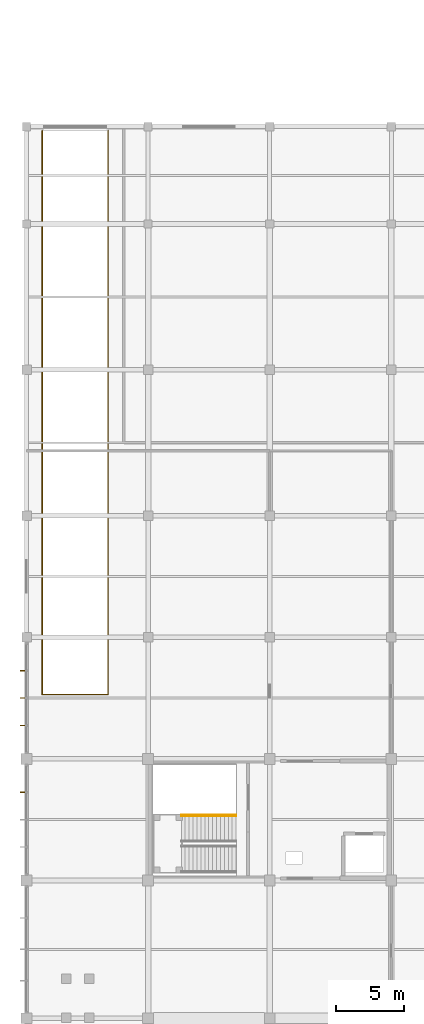
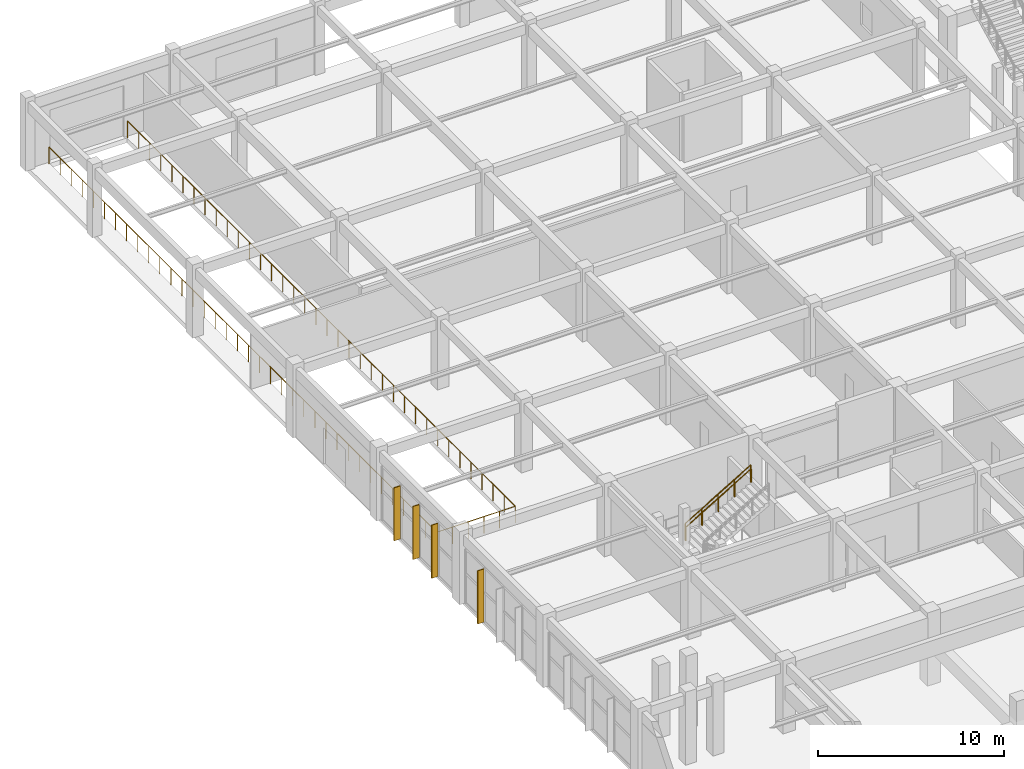
# One storey, part 68 of 82: 4 shading devices, 3 railings.
"""IFC4 building model written with IfcOpenShell, lengths in metres."""

from ifc_helpers import new_model, si_unit, direction, frame, origin, origin_2d, place, context, subcontext, project, spatial, rectangle, circle, extrude, material, type_object, element, save


model = new_model("IFC4")

# Units and contexts
model_context = context("Model", 3, precision=1e-05, world=origin(), true_north=direction((0.0, 1.0)))
body_context = subcontext(model_context, "Body", "Model", "MODEL_VIEW")
ifc_project = project(units=[si_unit("LENGTHUNIT", "METRE"), si_unit("AREAUNIT", "SQUARE_METRE"), si_unit("VOLUMEUNIT", "CUBIC_METRE"), si_unit("PLANEANGLEUNIT", "RADIAN"), si_unit("MASSUNIT", "GRAM", prefix="KILO")], contexts=[model_context])

# Site, building, storey
site_placement = place(None, origin())
site = spatial("IfcSite", under=ifc_project, at=site_placement, CompositionType="ELEMENT")
building_placement = place(site_placement, origin())
building = spatial("IfcBuilding", under=site, at=building_placement, Name="Suirenkawa Promenade Aquatics Centre", CompositionType="ELEMENT")
storey_placement = place(building_placement, origin())
storey = spatial("IfcBuildingStorey", under=building, at=storey_placement, Name="L00", CompositionType="ELEMENT", Elevation=0.0)

# Railings
ifc_material_1 = material(Name="Marine-grade stainless steel Grade 316L", Category="steel")
railing_type_1 = type_object("IfcRailingType", Name="RLT-GUARD-1120", PredefinedType="GUARDRAIL", material=ifc_material_1)
railing_1_placement = place(storey_placement, frame((11.455078125, 64.22998046875, 2.39990234375)))
element("IfcRailing", 1, at=railing_1_placement, inside=storey, type_object=railing_type_1, Name="Guardrail GRD-01 RL-0067", PredefinedType="GUARDRAIL", context=body_context, shape_type="SweptSolid", body=[
    extrude(circle(Radius=0.02392578125, at=origin_2d()), frame((0.0, 0.0, 1.09619140625), z_axis=(0.860818299379, 0.0, 0.50891242415), x_axis=(0.0, 1.0, 0.0)), (0.0, 0.0, 1.0), 4.71630859375),
    extrude(circle(Radius=0.02099609375, at=origin_2d()), origin(), (0.0, 0.0, 1.0), 1.072021484375),
    extrude(circle(Radius=0.02099609375, at=origin_2d()), frame((1.014892578125, 0.0, 0.60009765625)), (0.0, 0.0, 1.0), 1.072021484375),
    extrude(circle(Radius=0.02099609375, at=origin_2d()), frame((2.02978515625, 0.0, 1.2001953125)), (0.0, 0.0, 1.0), 1.072021484375),
    extrude(circle(Radius=0.02099609375, at=origin_2d()), frame((3.044921875, 0.0, 1.800048828125)), (0.0, 0.0, 1.0), 1.072021484375),
    extrude(circle(Radius=0.02099609375, at=origin_2d()), frame((4.059814453125, 0.0, 2.400146484375)), (0.0, 0.0, 1.0), 1.072021484375),
])
railing_2_placement = place(storey_placement, frame((1.159912109375, 114.89990234375, 0.0)))
element("IfcRailing", 2, at=railing_2_placement, inside=storey, type_object=railing_type_1, Name="Guardrail GRD-01 RL-0440", PredefinedType="GUARDRAIL", context=body_context, shape_type="SweptSolid", body=[
    extrude(circle(Radius=0.02392578125, at=origin_2d()), frame((0.0, 0.0, 1.09619140625), z_axis=(0.0, -1.0, 0.0), x_axis=(1.0, 0.0, 0.0)), (0.0, 0.0, 1.0), 41.739990234375),
    extrude(circle(Radius=0.02392578125, at=origin_2d()), frame((0.0, -41.739990234375, 1.09619140625), z_axis=(1.0, 0.0, 0.0), x_axis=(0.0, 1.0, 0.0)), (0.0, 0.0, 1.0), 4.880126953125),
    extrude(circle(Radius=0.02392578125, at=origin_2d()), frame((4.880126953125, -41.739990234375, 1.09619140625), z_axis=(0.0, 1.0, 0.0), x_axis=(-1.0, 0.0, 0.0)), (0.0, 0.0, 1.0), 41.739990234375),
    extrude(circle(Radius=0.02099609375, at=origin_2d()), origin(), (0.0, 0.0, 1.0), 1.072021484375),
    extrude(circle(Radius=0.02099609375, at=origin_2d()), frame((0.0, -1.192626953125, 0.0)), (0.0, 0.0, 1.0), 1.072021484375),
    extrude(circle(Radius=0.02099609375, at=origin_2d()), frame((0.0, -2.38525390625, 0.0)), (0.0, 0.0, 1.0), 1.072021484375),
    extrude(circle(Radius=0.02099609375, at=origin_2d()), frame((0.0, -3.57763671875, 0.0)), (0.0, 0.0, 1.0), 1.072021484375),
    extrude(circle(Radius=0.02099609375, at=origin_2d()), frame((0.0, -4.770263671875, 0.0)), (0.0, 0.0, 1.0), 1.072021484375),
    extrude(circle(Radius=0.02099609375, at=origin_2d()), frame((0.0, -5.962890625, 0.0)), (0.0, 0.0, 1.0), 1.072021484375),
    extrude(circle(Radius=0.02099609375, at=origin_2d()), frame((0.0, -7.155517578125, 0.0)), (0.0, 0.0, 1.0), 1.072021484375),
    extrude(circle(Radius=0.02099609375, at=origin_2d()), frame((0.0, -8.347900390625, 0.0)), (0.0, 0.0, 1.0), 1.072021484375),
    extrude(circle(Radius=0.02099609375, at=origin_2d()), frame((0.0, -9.54052734375, 0.0)), (0.0, 0.0, 1.0), 1.072021484375),
    extrude(circle(Radius=0.02099609375, at=origin_2d()), frame((0.0, -10.733154296875, 0.0)), (0.0, 0.0, 1.0), 1.072021484375),
    extrude(circle(Radius=0.02099609375, at=origin_2d()), frame((0.0, -11.92578125, 0.0)), (0.0, 0.0, 1.0), 1.072021484375),
    extrude(circle(Radius=0.02099609375, at=origin_2d()), frame((0.0, -13.1181640625, 0.0)), (0.0, 0.0, 1.0), 1.072021484375),
    extrude(circle(Radius=0.02099609375, at=origin_2d()), frame((0.0, -14.310791015625, 0.0)), (0.0, 0.0, 1.0), 1.072021484375),
    extrude(circle(Radius=0.02099609375, at=origin_2d()), frame((0.0, -15.50341796875, 0.0)), (0.0, 0.0, 1.0), 1.072021484375),
    extrude(circle(Radius=0.02099609375, at=origin_2d()), frame((0.0, -16.696044921875, 0.0)), (0.0, 0.0, 1.0), 1.072021484375),
    extrude(circle(Radius=0.02099609375, at=origin_2d()), frame((0.0, -17.888671875, 0.0)), (0.0, 0.0, 1.0), 1.072021484375),
    extrude(circle(Radius=0.02099609375, at=origin_2d()), frame((0.0, -19.0810546875, 0.0)), (0.0, 0.0, 1.0), 1.072021484375),
    extrude(circle(Radius=0.02099609375, at=origin_2d()), frame((0.0, -20.273681640625, 0.0)), (0.0, 0.0, 1.0), 1.072021484375),
    extrude(circle(Radius=0.02099609375, at=origin_2d()), frame((0.0, -21.46630859375, 0.0)), (0.0, 0.0, 1.0), 1.072021484375),
    extrude(circle(Radius=0.02099609375, at=origin_2d()), frame((0.0, -22.658935546875, 0.0)), (0.0, 0.0, 1.0), 1.072021484375),
    extrude(circle(Radius=0.02099609375, at=origin_2d()), frame((0.0, -23.851318359375, 0.0)), (0.0, 0.0, 1.0), 1.072021484375),
    extrude(circle(Radius=0.02099609375, at=origin_2d()), frame((0.0, -25.0439453125, 0.0)), (0.0, 0.0, 1.0), 1.072021484375),
    extrude(circle(Radius=0.02099609375, at=origin_2d()), frame((0.0, -26.236572265625, 0.0)), (0.0, 0.0, 1.0), 1.072021484375),
    extrude(circle(Radius=0.02099609375, at=origin_2d()), frame((0.0, -27.42919921875, 0.0)), (0.0, 0.0, 1.0), 1.072021484375),
    extrude(circle(Radius=0.02099609375, at=origin_2d()), frame((0.0, -28.621826171875, 0.0)), (0.0, 0.0, 1.0), 1.072021484375),
    extrude(circle(Radius=0.02099609375, at=origin_2d()), frame((0.0, -29.814208984375, 0.0)), (0.0, 0.0, 1.0), 1.072021484375),
    extrude(circle(Radius=0.02099609375, at=origin_2d()), frame((0.0, -31.0068359375, 0.0)), (0.0, 0.0, 1.0), 1.072021484375),
    extrude(circle(Radius=0.02099609375, at=origin_2d()), frame((0.0, -32.199462890625, 0.0)), (0.0, 0.0, 1.0), 1.072021484375),
    extrude(circle(Radius=0.02099609375, at=origin_2d()), frame((0.0, -33.39208984375, 0.0)), (0.0, 0.0, 1.0), 1.072021484375),
    extrude(circle(Radius=0.02099609375, at=origin_2d()), frame((0.0, -34.58447265625, 0.0)), (0.0, 0.0, 1.0), 1.072021484375),
    extrude(circle(Radius=0.02099609375, at=origin_2d()), frame((0.0, -35.777099609375, 0.0)), (0.0, 0.0, 1.0), 1.072021484375),
    extrude(circle(Radius=0.02099609375, at=origin_2d()), frame((0.0, -36.9697265625, 0.0)), (0.0, 0.0, 1.0), 1.072021484375),
    extrude(circle(Radius=0.02099609375, at=origin_2d()), frame((0.0, -38.162353515625, 0.0)), (0.0, 0.0, 1.0), 1.072021484375),
    extrude(circle(Radius=0.02099609375, at=origin_2d()), frame((0.0, -39.354736328125, 0.0)), (0.0, 0.0, 1.0), 1.072021484375),
    extrude(circle(Radius=0.02099609375, at=origin_2d()), frame((0.0, -40.54736328125, 0.0)), (0.0, 0.0, 1.0), 1.072021484375),
    extrude(circle(Radius=0.02099609375, at=origin_2d()), frame((0.0, -41.739990234375, 0.0)), (0.0, 0.0, 1.0), 1.072021484375),
    extrude(circle(Radius=0.02099609375, at=origin_2d()), frame((0.97607421875, -41.739990234375, 0.0)), (0.0, 0.0, 1.0), 1.072021484375),
    extrude(circle(Radius=0.02099609375, at=origin_2d()), frame((1.9521484375, -41.739990234375, 0.0)), (0.0, 0.0, 1.0), 1.072021484375),
    extrude(circle(Radius=0.02099609375, at=origin_2d()), frame((2.927978515625, -41.739990234375, 0.0)), (0.0, 0.0, 1.0), 1.072021484375),
    extrude(circle(Radius=0.02099609375, at=origin_2d()), frame((3.904052734375, -41.739990234375, 0.0)), (0.0, 0.0, 1.0), 1.072021484375),
    extrude(circle(Radius=0.02099609375, at=origin_2d()), frame((4.880126953125, -41.739990234375, 0.0)), (0.0, 0.0, 1.0), 1.072021484375),
    extrude(circle(Radius=0.02099609375, at=origin_2d()), frame((4.880126953125, -40.54736328125, 0.0)), (0.0, 0.0, 1.0), 1.072021484375),
    extrude(circle(Radius=0.02099609375, at=origin_2d()), frame((4.880126953125, -39.354736328125, 0.0)), (0.0, 0.0, 1.0), 1.072021484375),
    extrude(circle(Radius=0.02099609375, at=origin_2d()), frame((4.880126953125, -38.162353515625, 0.0)), (0.0, 0.0, 1.0), 1.072021484375),
    extrude(circle(Radius=0.02099609375, at=origin_2d()), frame((4.880126953125, -36.9697265625, 0.0)), (0.0, 0.0, 1.0), 1.072021484375),
    extrude(circle(Radius=0.02099609375, at=origin_2d()), frame((4.880126953125, -35.777099609375, 0.0)), (0.0, 0.0, 1.0), 1.072021484375),
    extrude(circle(Radius=0.02099609375, at=origin_2d()), frame((4.880126953125, -34.58447265625, 0.0)), (0.0, 0.0, 1.0), 1.072021484375),
    extrude(circle(Radius=0.02099609375, at=origin_2d()), frame((4.880126953125, -33.39208984375, 0.0)), (0.0, 0.0, 1.0), 1.072021484375),
    extrude(circle(Radius=0.02099609375, at=origin_2d()), frame((4.880126953125, -32.199462890625, 0.0)), (0.0, 0.0, 1.0), 1.072021484375),
    extrude(circle(Radius=0.02099609375, at=origin_2d()), frame((4.880126953125, -31.0068359375, 0.0)), (0.0, 0.0, 1.0), 1.072021484375),
    extrude(circle(Radius=0.02099609375, at=origin_2d()), frame((4.880126953125, -29.814208984375, 0.0)), (0.0, 0.0, 1.0), 1.072021484375),
    extrude(circle(Radius=0.02099609375, at=origin_2d()), frame((4.880126953125, -28.621826171875, 0.0)), (0.0, 0.0, 1.0), 1.072021484375),
    extrude(circle(Radius=0.02099609375, at=origin_2d()), frame((4.880126953125, -27.42919921875, 0.0)), (0.0, 0.0, 1.0), 1.072021484375),
    extrude(circle(Radius=0.02099609375, at=origin_2d()), frame((4.880126953125, -26.236572265625, 0.0)), (0.0, 0.0, 1.0), 1.072021484375),
    extrude(circle(Radius=0.02099609375, at=origin_2d()), frame((4.880126953125, -25.0439453125, 0.0)), (0.0, 0.0, 1.0), 1.072021484375),
    extrude(circle(Radius=0.02099609375, at=origin_2d()), frame((4.880126953125, -23.851318359375, 0.0)), (0.0, 0.0, 1.0), 1.072021484375),
    extrude(circle(Radius=0.02099609375, at=origin_2d()), frame((4.880126953125, -22.658935546875, 0.0)), (0.0, 0.0, 1.0), 1.072021484375),
    extrude(circle(Radius=0.02099609375, at=origin_2d()), frame((4.880126953125, -21.46630859375, 0.0)), (0.0, 0.0, 1.0), 1.072021484375),
    extrude(circle(Radius=0.02099609375, at=origin_2d()), frame((4.880126953125, -20.273681640625, 0.0)), (0.0, 0.0, 1.0), 1.072021484375),
    extrude(circle(Radius=0.02099609375, at=origin_2d()), frame((4.880126953125, -19.0810546875, 0.0)), (0.0, 0.0, 1.0), 1.072021484375),
    extrude(circle(Radius=0.02099609375, at=origin_2d()), frame((4.880126953125, -17.888671875, 0.0)), (0.0, 0.0, 1.0), 1.072021484375),
    extrude(circle(Radius=0.02099609375, at=origin_2d()), frame((4.880126953125, -16.696044921875, 0.0)), (0.0, 0.0, 1.0), 1.072021484375),
    extrude(circle(Radius=0.02099609375, at=origin_2d()), frame((4.880126953125, -15.50341796875, 0.0)), (0.0, 0.0, 1.0), 1.072021484375),
    extrude(circle(Radius=0.02099609375, at=origin_2d()), frame((4.880126953125, -14.310791015625, 0.0)), (0.0, 0.0, 1.0), 1.072021484375),
    extrude(circle(Radius=0.02099609375, at=origin_2d()), frame((4.880126953125, -13.1181640625, 0.0)), (0.0, 0.0, 1.0), 1.072021484375),
    extrude(circle(Radius=0.02099609375, at=origin_2d()), frame((4.880126953125, -11.92578125, 0.0)), (0.0, 0.0, 1.0), 1.072021484375),
    extrude(circle(Radius=0.02099609375, at=origin_2d()), frame((4.880126953125, -10.733154296875, 0.0)), (0.0, 0.0, 1.0), 1.072021484375),
    extrude(circle(Radius=0.02099609375, at=origin_2d()), frame((4.880126953125, -9.54052734375, 0.0)), (0.0, 0.0, 1.0), 1.072021484375),
    extrude(circle(Radius=0.02099609375, at=origin_2d()), frame((4.880126953125, -8.347900390625, 0.0)), (0.0, 0.0, 1.0), 1.072021484375),
    extrude(circle(Radius=0.02099609375, at=origin_2d()), frame((4.880126953125, -7.155517578125, 0.0)), (0.0, 0.0, 1.0), 1.072021484375),
    extrude(circle(Radius=0.02099609375, at=origin_2d()), frame((4.880126953125, -5.962890625, 0.0)), (0.0, 0.0, 1.0), 1.072021484375),
    extrude(circle(Radius=0.02099609375, at=origin_2d()), frame((4.880126953125, -4.770263671875, 0.0)), (0.0, 0.0, 1.0), 1.072021484375),
    extrude(circle(Radius=0.02099609375, at=origin_2d()), frame((4.880126953125, -3.57763671875, 0.0)), (0.0, 0.0, 1.0), 1.072021484375),
    extrude(circle(Radius=0.02099609375, at=origin_2d()), frame((4.880126953125, -2.38525390625, 0.0)), (0.0, 0.0, 1.0), 1.072021484375),
    extrude(circle(Radius=0.02099609375, at=origin_2d()), frame((4.880126953125, -1.192626953125, 0.0)), (0.0, 0.0, 1.0), 1.072021484375),
    extrude(circle(Radius=0.02099609375, at=origin_2d()), frame((4.880126953125, 0.0, 0.0)), (0.0, 0.0, 1.0), 1.072021484375),
])
railing_type_2 = type_object("IfcRailingType", Name="RLT-HANDRAIL-900", PredefinedType="HANDRAIL", material=ifc_material_1)
railing_3_placement = place(storey_placement, frame((11.455078125, 64.179931640625, 2.39990234375)))
element("IfcRailing", 3, at=railing_3_placement, inside=storey, type_object=railing_type_2, Name="Handrail HRL-01 RL-0068", PredefinedType="HANDRAIL", context=body_context, shape_type="SweptSolid", body=[
    extrude(circle(Radius=0.02392578125, at=origin_2d()), frame((0.0, 0.0, 0.8759765625), z_axis=(0.860818299379, 0.0, 0.50891242415), x_axis=(0.0, 1.0, 0.0)), (0.0, 0.0, 1.0), 4.71630859375),
    extrude(circle(Radius=0.02099609375, at=origin_2d()), origin(), (0.0, 0.0, 1.0), 0.851806640625),
    extrude(circle(Radius=0.02099609375, at=origin_2d()), frame((1.014892578125, 0.0, 0.60009765625)), (0.0, 0.0, 1.0), 0.851806640625),
    extrude(circle(Radius=0.02099609375, at=origin_2d()), frame((2.02978515625, 0.0, 1.2001953125)), (0.0, 0.0, 1.0), 0.851806640625),
    extrude(circle(Radius=0.02099609375, at=origin_2d()), frame((3.044921875, 0.0, 1.800048828125)), (0.0, 0.0, 1.0), 0.851806640625),
    extrude(circle(Radius=0.02099609375, at=origin_2d()), frame((4.059814453125, 0.0, 2.400146484375)), (0.0, 0.0, 1.0), 0.851806640625),
])

# Shading devices
ifc_material_2 = material(Name="Anodised aluminium 6063-T6", Category="aluminium")
shading_device_type = type_object("IfcShadingDeviceType", Name="SDT-KOUSHI-400", PredefinedType="USERDEFINED", material=ifc_material_2)
for number, where, z_axis, x_axis, name in (
    (4, (-0.287109375, 65.925537109375, 0.0400390625), (0.0, 0.0, 1.0), (-1.0, 0.0, 0.0), "Vertical solar shading fin FN-01 FIN-0085"),
    (5, (-0.287109375, 70.87451171875, 0.0400390625), (0.0, 0.0, 1.0), (-1.0, 0.0, 0.0), "Vertical solar shading fin FN-01 FIN-0086"),
    (6, (-0.287109375, 72.89990234375, 0.0400390625), (0.0, 0.0, 1.0), (-1.0, 0.0, 0.0), "Vertical solar shading fin FN-01 FIN-0087"),
    (7, (-0.287109375, 74.925537109375, 0.0400390625), (0.0, 0.0, 1.0), (-1.0, 0.0, 0.0), "Vertical solar shading fin FN-01 FIN-0088"),
):
    element("IfcShadingDevice", number, at=place(storey_placement, frame(where, z_axis=z_axis, x_axis=x_axis)), inside=storey, type_object=shading_device_type, Name=name, ObjectType="FIN", PredefinedType="USERDEFINED", context=body_context, shape_type="SweptSolid", body=[
        extrude(rectangle(XDim=0.39990234375, YDim=0.06005859375, at=origin_2d()), origin(), (0.0, 0.0, 1.0), 3.489990234375),
    ])

save(model, "model.ifc")
